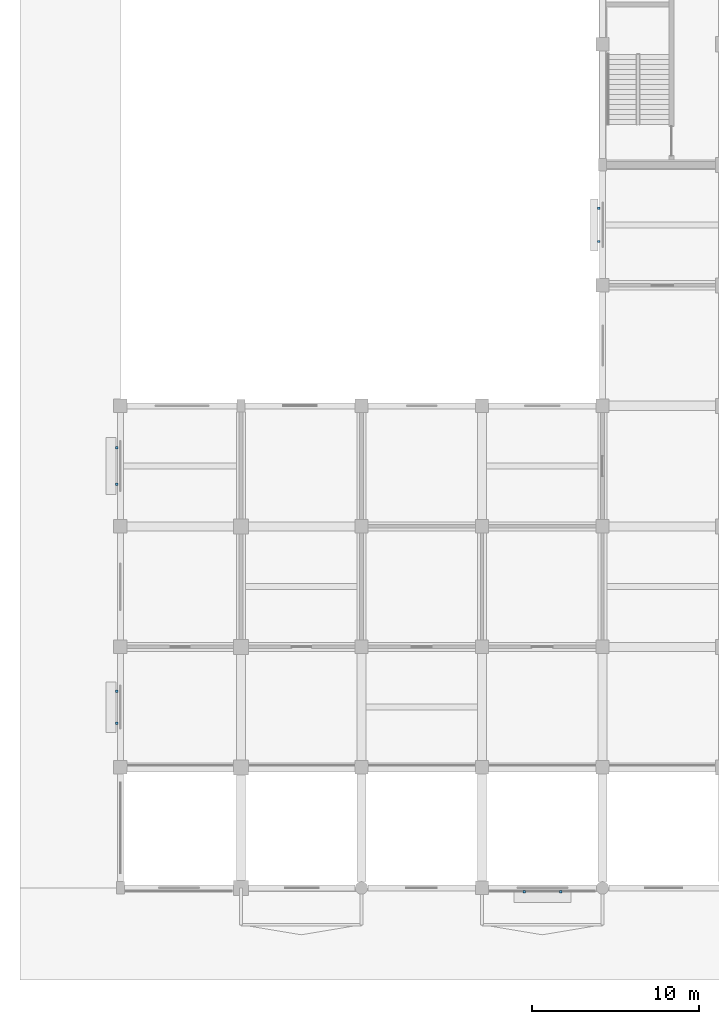
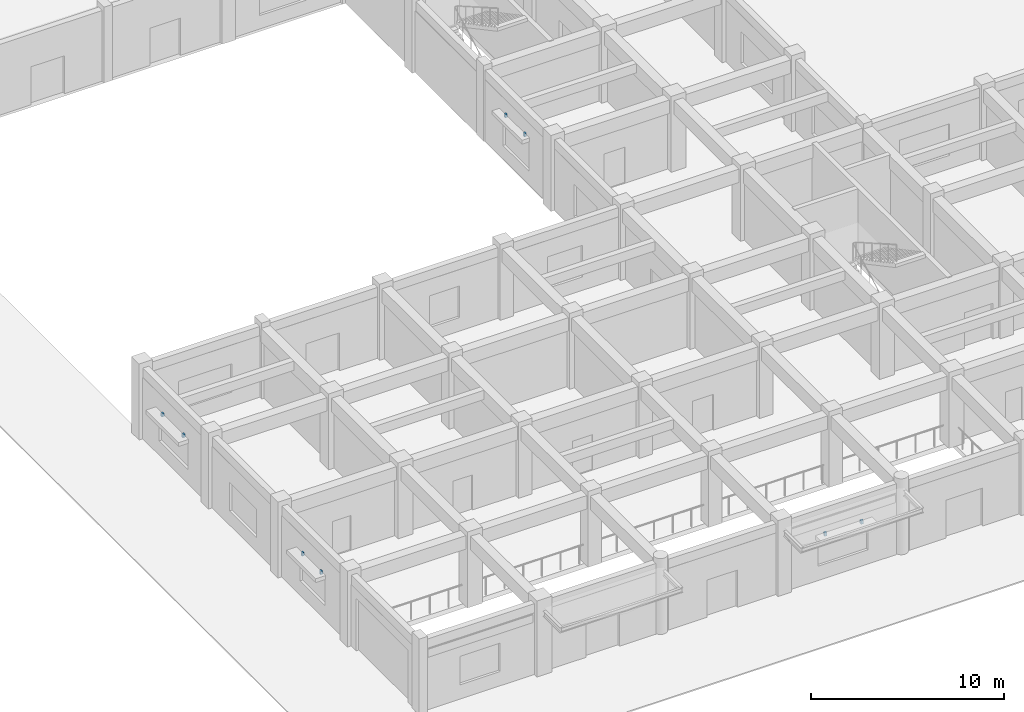
# One storey, part 23 of 37: 8 discrete accessories.
"""IFC4 building model written with IfcOpenShell, lengths in metres."""

from ifc_helpers import new_model, si_unit, direction, frame, origin, origin_2d, place, context, subcontext, project, spatial, rectangle, extrude, material, type_object, element, save


model = new_model("IFC4")

# Units and contexts
model_context = context("Model", 3, precision=1e-05, world=origin(), true_north=direction((0.0, 1.0)))
body_context = subcontext(model_context, "Body", "Model", "MODEL_VIEW")
ifc_project = project(units=[si_unit("LENGTHUNIT", "METRE"), si_unit("AREAUNIT", "SQUARE_METRE"), si_unit("VOLUMEUNIT", "CUBIC_METRE"), si_unit("PLANEANGLEUNIT", "RADIAN"), si_unit("MASSUNIT", "GRAM", prefix="KILO")], contexts=[model_context])

# Site, building, storey
site_placement = place(None, origin())
site = spatial("IfcSite", under=ifc_project, at=site_placement, CompositionType="ELEMENT")
building_placement = place(site_placement, origin())
building = spatial("IfcBuilding", under=site, at=building_placement, Name="Cendaluz Park School", CompositionType="ELEMENT")
storey_placement = place(building_placement, origin())
storey = spatial("IfcBuildingStorey", under=building, at=storey_placement, Name="L00", CompositionType="ELEMENT", Elevation=0.0)

# Discrete accessories
ifc_material = material(Name="Steel S355", Category="steel")
discrete_accessory_type = type_object("IfcDiscreteAccessoryType", Name="BK-01", PredefinedType="BRACKET", material=ifc_material)
for number, where, z_axis, x_axis, name in (
    (1, (-0.219970703125, 9.840087890625, 2.72998046875), (0.0, 0.0, 1.0), (0.0, 1.0, 0.0), "BK-L00-001"),
    (2, (-0.219970703125, 11.760009765625, 2.72998046875), (0.0, 0.0, 1.0), (0.0, 1.0, 0.0), "BK-L00-002"),
    (3, (-0.219970703125, 24.112060546875, 2.72998046875), (0.0, 0.0, 1.0), (0.0, 1.0, 0.0), "BK-L00-003"),
    (4, (-0.219970703125, 26.2880859375, 2.72998046875), (0.0, 0.0, 1.0), (0.0, 1.0, 0.0), "BK-L00-004"),
    (5, (24.12451171875, -0.219970703125, 2.72998046875), (0.0, 0.0, 1.0), (1.0, 0.0, 0.0), "BK-L00-013"),
    (6, (26.300537109375, -0.219970703125, 2.72998046875), (0.0, 0.0, 1.0), (1.0, 0.0, 0.0), "BK-L00-014"),
    (7, (28.580078125, 38.62060546875, 2.8798828125), (0.0, 0.0, 1.0), (0.0, 1.0, 0.0), "BK-L00-017"),
    (8, (28.580078125, 40.6044921875, 2.8798828125), (0.0, 0.0, 1.0), (0.0, 1.0, 0.0), "BK-L00-018"),
):
    element("IfcDiscreteAccessory", number, at=place(storey_placement, frame(where, z_axis=z_axis, x_axis=x_axis)), inside=storey, type_object=discrete_accessory_type, Name=name, PredefinedType="BRACKET", context=body_context, shape_type="SweptSolid", body=[
        extrude(rectangle(XDim=0.139892578125, YDim=0.139892578125, at=origin_2d()), origin(), (0.0, 0.0, 1.0), 0.219970703125),
    ])

save(model, "model.ifc")
